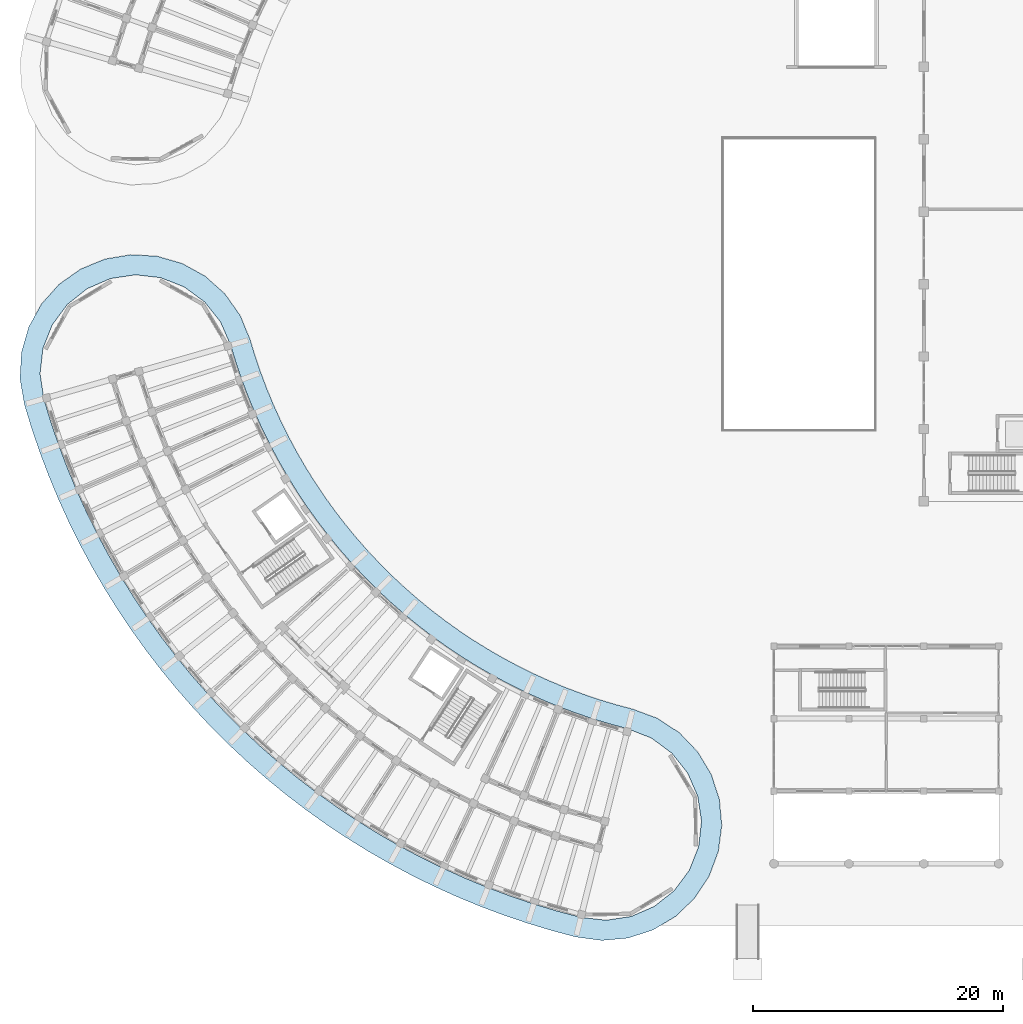
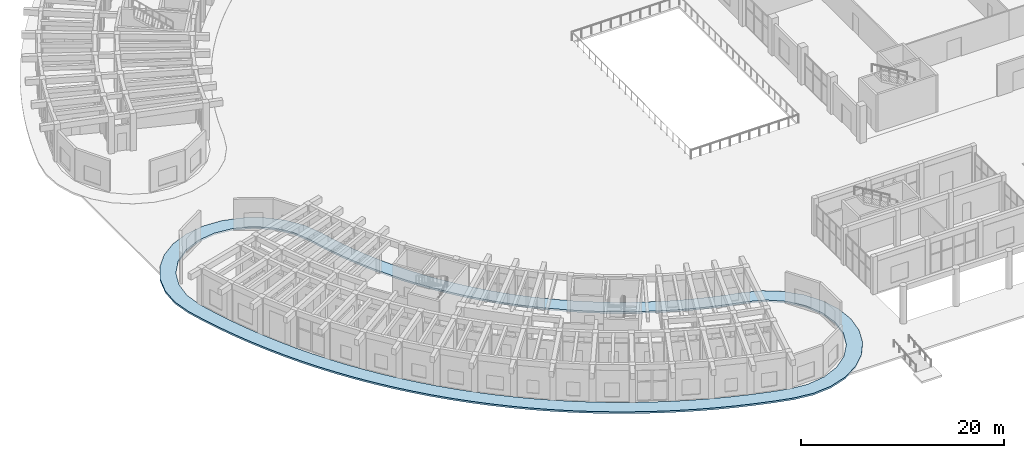
# One storey, part 70 of 132: 1 slab.
"""IFC4 building model written with IfcOpenShell, lengths in metres."""

from ifc_helpers import new_model, si_unit, direction, frame, origin, place, context, subcontext, project, spatial, polyline, outline, extrude, material, layer, layer_set, type_object, element, save


model = new_model("IFC4")

# Units and contexts
model_context = context("Model", 3, precision=1e-05, world=origin(), true_north=direction((0.0, 1.0)))
body_context = subcontext(model_context, "Body", "Model", "MODEL_VIEW")
ifc_project = project(units=[si_unit("LENGTHUNIT", "METRE"), si_unit("AREAUNIT", "SQUARE_METRE"), si_unit("VOLUMEUNIT", "CUBIC_METRE"), si_unit("PLANEANGLEUNIT", "RADIAN"), si_unit("MASSUNIT", "GRAM", prefix="KILO")], contexts=[model_context])

# Site, building, storey
site_placement = place(None, origin())
site = spatial("IfcSite", under=ifc_project, at=site_placement, CompositionType="ELEMENT")
building_placement = place(site_placement, origin())
building = spatial("IfcBuilding", under=site, at=building_placement, Name="Tanwirah Colonnade Gardens", CompositionType="ELEMENT")
storey_placement = place(building_placement, origin())
storey = spatial("IfcBuildingStorey", under=building, at=storey_placement, Name="L00", CompositionType="ELEMENT", Elevation=0.0)

# Slab
ifc_material = material(Name="White architectural precast concrete C40/50", Category="concrete")
ifc_layer = layer(ifc_material, 0.215087890625)
ifc_layer_set = layer_set([ifc_layer], Name="White architectural precast concrete C40/50")
slab_type = type_object("IfcSlabType", Name="SL-VER-215", PredefinedType="FLOOR", material=ifc_layer_set)
slab_placement = place(storey_placement, frame((0.0, 0.0, -0.215087890625)))
element("IfcSlab", 1, at=slab_placement, inside=storey, type_object=slab_type, Name="Block C L00 Continuous White Balcony Ribbon", PredefinedType="FLOOR", context=body_context, shape_type="SweptSolid", body=[
    extrude(outline(polyline([(23.2470703125, 54.70361328125), (22.03125, 56.421875), (20.46337890625, 57.826416015625), (18.62255859375, 58.846923828125), (16.6005859375, 59.43212890625), (14.4990234375, 59.552734375), (12.42333984375, 59.20263671875), (10.477783203125, 58.399658203125), (8.759521484375, 57.18359375), (7.35498046875, 55.615966796875), (6.33447265625, 53.77490234375), (5.749267578125, 51.7529296875), (5.62841796875, 49.651611328125), (5.978515625, 47.575927734375), (6.56396484375, 45.65380859375), (7.2119140625, 43.751953125), (7.921630859375, 41.872314453125), (8.692626953125, 40.016845703125), (9.523681640625, 38.1875), (10.414306640625, 36.386474609375), (11.363525390625, 34.61572265625), (12.369873046875, 32.876708984375), (13.432861328125, 31.171630859375), (14.55078125, 29.502197265625), (15.722900390625, 27.870361328125), (16.94775390625, 26.277587890625), (18.22412109375, 24.725830078125), (19.550537109375, 23.216796875), (20.92578125, 21.751708984375), (22.347900390625, 20.33251953125), (23.81591796875, 18.960693359375), (25.327880859375, 17.637451171875), (26.882568359375, 16.364501953125), (28.477783203125, 15.143310546875), (30.1123046875, 13.974609375), (31.7841796875, 12.860107421875), (33.491455078125, 11.801025390625), (35.232666015625, 10.79833984375), (37.005615234375, 9.85302734375), (38.80859375, 8.966552734375), (40.6396484375, 8.13916015625), (42.496826171875, 7.372314453125), (44.3779296875, 6.666748046875), (46.28125, 6.02294921875), (48.20458984375, 5.441650390625), (50.14599609375, 4.923828125), (52.232666015625, 4.646484375), (54.32861328125, 4.84033203125), (56.328857421875, 5.495849609375), (58.133056640625, 6.580078125), (59.65087890625, 8.038330078125), (60.80615234375, 9.798095703125), (61.540771484375, 11.7705078125), (61.818115234375, 13.857177734375), (61.624267578125, 15.953125), (60.96875, 17.953369140625), (59.884765625, 19.757568359375), (58.42626953125, 21.275390625), (56.666748046875, 22.4306640625), (54.694091796875, 23.165283203125), (53.34716796875, 23.524658203125), (52.0126953125, 23.927978515625), (50.692138671875, 24.37451171875), (49.386962890625, 24.8642578125), (48.0986328125, 25.396240234375), (46.828125, 25.97021484375), (45.5771484375, 26.58544921875), (44.34716796875, 27.2412109375), (43.13916015625, 27.93701171875), (41.95458984375, 28.671630859375), (40.794677734375, 29.445068359375), (39.66064453125, 30.255615234375), (38.5537109375, 31.10302734375), (37.47509765625, 31.986328125), (36.426025390625, 32.904296875), (35.407470703125, 33.856201171875), (34.420654296875, 34.8408203125), (33.466796875, 35.857177734375), (32.54638671875, 36.904296875), (31.660888671875, 37.98095703125), (30.81103515625, 39.0859375), (29.997802734375, 40.218017578125), (29.22216796875, 41.37646484375), (28.484619140625, 42.559326171875), (27.786376953125, 43.765869140625), (27.1279296875, 44.99462890625), (26.510009765625, 46.244140625), (25.933349609375, 47.51318359375), (25.3984375, 48.800537109375), (24.906005859375, 50.104736328125), (24.456298828125, 51.42431640625), (24.05029296875, 52.7578125), (23.2470703125, 54.70361328125)]), holes=[polyline([(21.68310546875, 54.173828125), (22.493408203125, 52.309814453125), (22.91455078125, 50.92724609375), (22.91455078125, 50.9267578125), (23.381103515625, 49.5576171875), (23.38134765625, 49.55712890625), (23.892333984375, 48.203857421875), (23.892578125, 48.203369140625), (24.447509765625, 46.86767578125), (24.44775390625, 46.866943359375), (25.046142578125, 45.55029296875), (25.04638671875, 45.549560546875), (25.6875, 44.253173828125), (25.687744140625, 44.25244140625), (26.37109375, 42.977783203125), (26.371337890625, 42.97705078125), (27.095947265625, 41.725341796875), (27.09619140625, 41.724853515625), (27.861328125, 40.497314453125), (27.86181640625, 40.496826171875), (28.66650390625, 39.294921875), (28.6669921875, 39.29443359375), (29.5107421875, 38.11962890625), (29.51123046875, 38.119140625), (30.392822265625, 36.97265625), (30.393310546875, 36.97216796875), (31.31201171875, 35.85498046875), (31.3125, 35.8544921875), (32.267333984375, 34.76806640625), (32.267822265625, 34.767578125), (33.257568359375, 33.713134765625), (33.258056640625, 33.712646484375), (34.281982421875, 32.69091796875), (34.282470703125, 32.690673828125), (35.339111328125, 31.702880859375), (35.339599609375, 31.70263671875), (36.42822265625, 30.75), (36.4287109375, 30.749755859375), (37.547607421875, 29.833251953125), (37.54833984375, 29.8330078125), (38.69677734375, 28.95361328125), (38.697265625, 28.953369140625), (39.873779296875, 28.112060546875), (39.874267578125, 28.111572265625), (41.077880859375, 27.309326171875), (41.078369140625, 27.30908203125), (42.307373046875, 26.546630859375), (42.30810546875, 26.54638671875), (43.5615234375, 25.824462890625), (43.56201171875, 25.82421875), (44.83837890625, 25.143798828125), (44.8388671875, 25.1435546875), (46.13671875, 24.505126953125), (46.137451171875, 24.5048828125), (47.45556640625, 23.909423828125), (47.4560546875, 23.9091796875), (48.79296875, 23.357177734375), (48.793701171875, 23.35693359375), (50.14794921875, 22.848876953125), (50.1484375, 22.8486328125), (51.5185546875, 22.38525390625), (51.519287109375, 22.385009765625), (52.90380859375, 21.966552734375), (52.904296875, 21.966552734375), (54.30078125, 21.593994140625), (56.19189453125, 20.84912109375), (57.824462890625, 19.640869140625), (59.088623046875, 18.051513671875), (59.8984375, 16.18896484375), (60.19873046875, 14.180419921875), (59.96875, 12.16259765625), (59.224365234375, 10.27294921875), (58.016357421875, 8.640380859375), (56.427001953125, 7.3759765625), (54.564453125, 6.566162109375), (52.555908203125, 6.265869140625), (50.536865234375, 6.49609375), (48.647705078125, 7.0), (46.775146484375, 7.565673828125), (44.922119140625, 8.192626953125), (43.090576171875, 8.879638671875), (41.282470703125, 9.626220703125), (39.499755859375, 10.431640625), (37.744384765625, 11.294921875), (36.01806640625, 12.21533203125), (34.322998046875, 13.19140625), (32.66064453125, 14.22265625), (31.03271484375, 15.3076171875), (29.44140625, 16.445556640625), (27.88818359375, 17.634521484375), (26.374755859375, 18.8740234375), (24.902587890625, 20.162109375), (23.473388671875, 21.497802734375), (22.088623046875, 22.879638671875), (20.749755859375, 24.305908203125), (19.458251953125, 25.775146484375), (18.215576171875, 27.2861328125), (17.023193359375, 28.836669921875), (15.8818359375, 30.425537109375), (14.79345703125, 32.051025390625), (13.758544921875, 33.7109375), (12.778564453125, 35.404052734375), (11.8544921875, 37.12841796875), (10.987548828125, 38.8818359375), (10.17822265625, 40.662841796875), (9.427490234375, 42.46923828125), (8.736572265625, 44.29931640625), (8.105712890625, 46.151123046875), (7.5361328125, 48.021240234375), (7.23583984375, 50.031005859375), (7.465576171875, 52.049072265625), (8.2099609375, 53.9384765625), (9.41796875, 55.5712890625), (11.007568359375, 56.83544921875), (12.869873046875, 57.645263671875), (14.878662109375, 57.945556640625), (16.896484375, 57.715576171875), (18.7861328125, 56.97119140625), (20.418701171875, 55.76318359375), (21.68310546875, 54.173828125)])]), origin(), (0.0, 0.0, 1.0), 0.215087890625),
])

save(model, "model.ifc")
